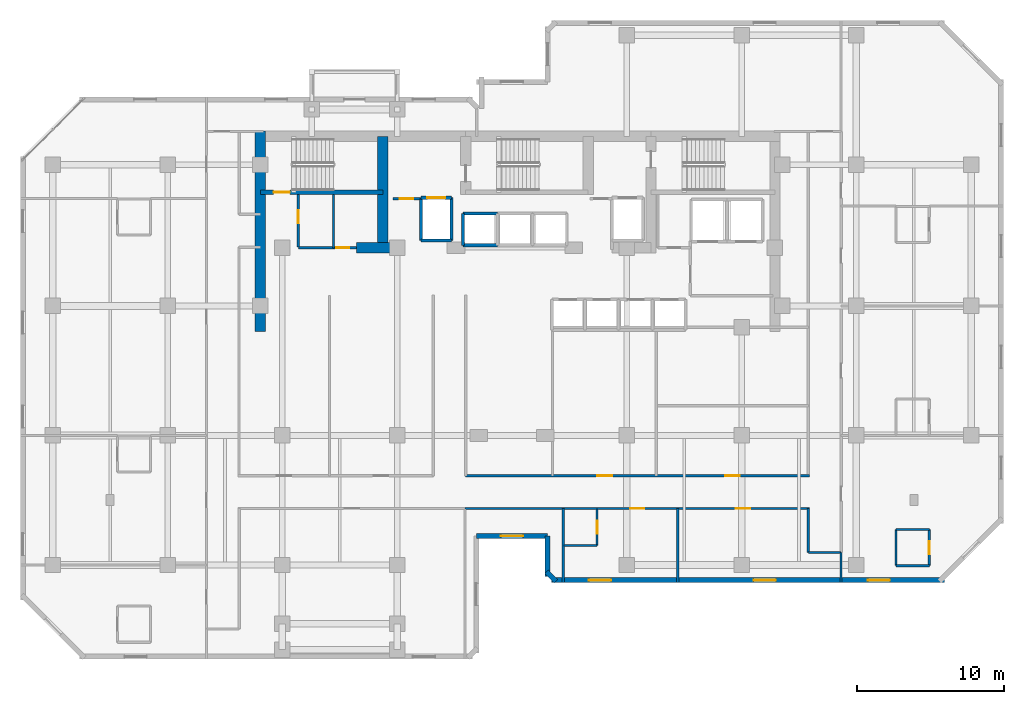
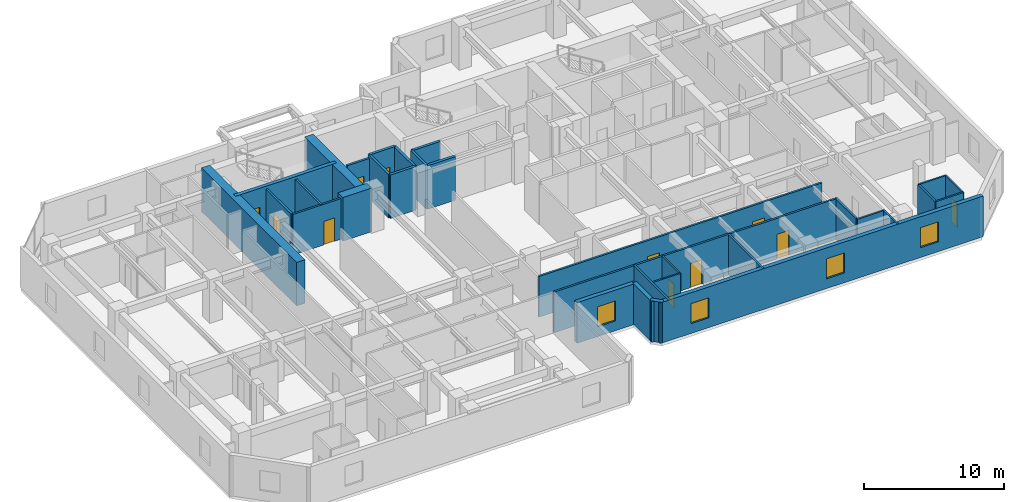
# One storey, part 5 of 9: 32 walls, 11 doors, 4 windows, 15 openings.
"""IFC4 building model written with IfcOpenShell, lengths in metres."""

from ifc_helpers import new_model, si_unit, direction, frame, frame_2d, origin, place, context, subcontext, project, spatial, rectangle, extrude, material, layer, layer_set, type_object, element, fill, save


model = new_model("IFC4")

# Units and contexts
model_context = context("Model", 3, precision=1e-05, world=origin(), true_north=direction((0.0, 1.0)))
body_context = subcontext(model_context, "Body", "Model", "MODEL_VIEW")
ifc_project = project(units=[si_unit("LENGTHUNIT", "METRE"), si_unit("AREAUNIT", "SQUARE_METRE"), si_unit("VOLUMEUNIT", "CUBIC_METRE"), si_unit("PLANEANGLEUNIT", "RADIAN"), si_unit("MASSUNIT", "GRAM", prefix="KILO")], contexts=[model_context])

# Site, building, storey
site_placement = place(None, origin())
site = spatial("IfcSite", under=ifc_project, at=site_placement, CompositionType="ELEMENT")
building_placement = place(site_placement, origin())
building = spatial("IfcBuilding", under=site, at=building_placement, Name="Kestravale Grand Hotel", CompositionType="ELEMENT")
storey_placement = place(building_placement, frame((0.0, 0.0, 176.39990234375)))
storey = spatial("IfcBuildingStorey", under=building, at=storey_placement, Name="L44", CompositionType="ELEMENT", Elevation=176.39990234375)

# Walls
ifc_material_1 = material(Name="Concrete f'c 60 MPa", Category="concrete")
ifc_layer_1 = layer(ifc_material_1, 0.699951171875)
ifc_layer_set_1 = layer_set([ifc_layer_1], Name="EW-CORE-700")
wall_type_1 = type_object("IfcWallType", Name="EW-CORE-700", PredefinedType="SHEAR", material=ifc_layer_set_1)
wall_1_placement = place(storey_placement, frame((21.89990234375, 27.050048828125, 0.0), z_axis=(0.0, 0.0, 1.0), x_axis=(0.0, 1.0, 0.0)))
element("IfcWall", 1, at=wall_1_placement, inside=storey, type_object=wall_type_1, Name="L44 core shear wall W1", PredefinedType="SHEAR", context=body_context, shape_type="SweptSolid", body=[
    extrude(rectangle(XDim=13.619873046875, YDim=0.699951171875, at=frame_2d((6.81005859375, 0.0))), origin(), (0.0, 0.0, 1.0), 3.800048828125),
])
wall_2_placement = place(storey_placement, frame((28.449951171875, 32.75, 0.0), z_axis=(0.0, 0.0, 1.0), x_axis=(1.0, 0.0, 0.0)))
element("IfcWall", 2, at=wall_2_placement, inside=storey, type_object=wall_type_1, Name="L44 core shear wall S1", PredefinedType="SHEAR", context=body_context, shape_type="SweptSolid", body=[
    extrude(rectangle(XDim=2.400146484375, YDim=0.699951171875, at=frame_2d((1.2001953125, 0.0))), origin(), (0.0, 0.0, 1.0), 3.800048828125),
])
wall_3_placement = place(storey_placement, frame((30.219970703125, 33.10009765625, 0.0), z_axis=(0.0, 0.0, 1.0), x_axis=(0.0, 1.0, 0.0)))
element("IfcWall", 3, at=wall_3_placement, inside=storey, type_object=wall_type_1, Name="L44 core shear wall X1", PredefinedType="SHEAR", context=body_context, shape_type="SweptSolid", body=[
    extrude(rectangle(XDim=7.219970703125, YDim=0.699951171875, at=frame_2d((3.60986328125, 0.0))), origin(), (0.0, 0.0, 1.0), 3.800048828125),
])

# Wall, opening, window
ifc_material_2 = material(Name="Precast concrete f'c 45 MPa", Category="concrete")
ifc_layer_2 = layer(ifc_material_2, 0.340087890625)
ifc_layer_set_2 = layer_set([ifc_layer_2], Name="EW-PREC-340")
wall_type_2 = type_object("IfcWallType", Name="EW-PREC-340", PredefinedType="SOLIDWALL", material=ifc_layer_set_2)
wall_4_placement = place(storey_placement, frame((36.580078125, 13.169921875, 0.0), z_axis=(0.0, 0.0, 1.0), x_axis=(1.0, 0.0, 0.0)))
wall_4 = element("IfcWall", 4, at=wall_4_placement, inside=storey, type_object=wall_type_2, Name="L44 fluted precast facade wall 4", PredefinedType="SOLIDWALL", context=body_context, shape_type="SweptSolid", body=[
    extrude(rectangle(XDim=4.83984375, YDim=0.340087890625, at=frame_2d((2.419921875, 0.0))), origin(), (0.0, 0.0, 1.0), 3.550048828125),
])
opening_1_placement = place(wall_4_placement, frame((1.669921875, 0.0, 0.85009765625)))
opening_1 = element("IfcOpeningElement", 5, at=opening_1_placement, cuts=wall_4, Name="Opening W-GUEST-1500", PredefinedType="OPENING", context=body_context, shape_type="SweptSolid", body=[
    extrude(rectangle(XDim=1.5, YDim=1.75, at=frame_2d((0.75, 0.875))), frame((0.0, 0.179931640625, 0.0), z_axis=(0.0, -1.0, 0.0), x_axis=(1.0, 0.0, 0.0)), (0.0, 0.0, 1.0), 0.360107421875),
])
ifc_material_3 = material(Name="Insulated low-E double glazing in aluminium frame", Category="aluminium")
window_type = type_object("IfcWindowType", Name="W-GUEST-1500", PartitioningType="SINGLE_PANEL", PredefinedType="WINDOW", material=ifc_material_3)
window_1_placement = place(opening_1_placement, origin())
window_1 = element("IfcWindow", 6, at=window_1_placement, inside=storey, type_object=window_type, Name="L44 exterior window 4.1", OverallHeight=1.75, OverallWidth=1.5, PartitioningType="SINGLE_PANEL", PredefinedType="WINDOW", context=body_context, shape_type="SweptSolid", body=[
    extrude(rectangle(XDim=1.5, YDim=1.75, at=frame_2d((0.75, 0.875))), frame((0.0, 0.030029296875, 0.0), z_axis=(0.0, -1.0, 0.0), x_axis=(1.0, 0.0, 0.0)), (0.0, 0.0, 1.0), 0.06005859375),
])
fill(opening_1, window_1)

# Walls
wall_5_placement = place(storey_placement, frame((41.419921875, 13.169921875, 0.0), z_axis=(0.0, 0.0, 1.0), x_axis=(0.0, -1.0, 0.0)))
element("IfcWall", 7, at=wall_5_placement, inside=storey, type_object=wall_type_2, Name="L44 fluted precast facade wall 5", PredefinedType="SOLIDWALL", context=body_context, shape_type="SweptSolid", body=[
    extrude(rectangle(XDim=2.739990234375, YDim=0.340087890625, at=frame_2d((1.3701171875, 0.0))), origin(), (0.0, 0.0, 1.0), 3.550048828125),
])
wall_6_placement = place(storey_placement, frame((41.341796875, 10.74853515625, 0.0), z_axis=(0.0, 0.0, 1.0), x_axis=(0.707106781187, -0.707106781187, 0.0)))
element("IfcWall", 8, at=wall_6_placement, inside=storey, type_object=wall_type_2, Name="L44 fluted precast facade wall 6", PredefinedType="SOLIDWALL", context=body_context, shape_type="SweptSolid", body=[
    extrude(rectangle(XDim=0.9287109375, YDim=0.340087890625, at=frame_2d((0.46435546875, 0.0))), origin(), (0.0, 0.0, 1.0), 3.550048828125),
])

# Wall, openings, windows
wall_7_placement = place(storey_placement, frame((41.679931640625, 10.169921875, 0.0), z_axis=(0.0, 0.0, 1.0), x_axis=(1.0, 0.0, 0.0)))
wall_7 = element("IfcWall", 9, at=wall_7_placement, inside=storey, type_object=wall_type_2, Name="L44 fluted precast facade wall 7", PredefinedType="SOLIDWALL", context=body_context, shape_type="SweptSolid", body=[
    extrude(rectangle(XDim=26.690185546875, YDim=0.340087890625, at=frame_2d((13.34521484375, 0.0))), origin(), (0.0, 0.0, 1.0), 3.550048828125),
])
opening_2_placement = place(wall_7_placement, frame((2.54833984375, 0.0, 0.85009765625)))
opening_2 = element("IfcOpeningElement", 10, at=opening_2_placement, cuts=wall_7, Name="Opening W-GUEST-1500", PredefinedType="OPENING", context=body_context, shape_type="SweptSolid", body=[
    extrude(rectangle(XDim=1.5, YDim=1.75, at=frame_2d((0.75, 0.875))), frame((0.0, 0.179931640625, 0.0), z_axis=(0.0, -1.0, 0.0), x_axis=(1.0, 0.0, 0.0)), (0.0, 0.0, 1.0), 0.360107421875),
])
opening_3_placement = place(wall_7_placement, frame((13.7451171875, 0.0, 0.85009765625)))
opening_3 = element("IfcOpeningElement", 11, at=opening_3_placement, cuts=wall_7, Name="Opening W-GUEST-1500", PredefinedType="OPENING", context=body_context, shape_type="SweptSolid", body=[
    extrude(rectangle(XDim=1.5, YDim=1.75, at=frame_2d((0.75, 0.875))), frame((0.0, 0.179931640625, 0.0), z_axis=(0.0, -1.0, 0.0), x_axis=(1.0, 0.0, 0.0)), (0.0, 0.0, 1.0), 0.360107421875),
])
opening_4_placement = place(wall_7_placement, frame((21.49169921875, 0.0, 0.85009765625)))
opening_4 = element("IfcOpeningElement", 12, at=opening_4_placement, cuts=wall_7, Name="Opening W-GUEST-1500", PredefinedType="OPENING", context=body_context, shape_type="SweptSolid", body=[
    extrude(rectangle(XDim=1.5, YDim=1.75, at=frame_2d((0.75, 0.875))), frame((0.0, 0.179931640625, 0.0), z_axis=(0.0, -1.0, 0.0), x_axis=(1.0, 0.0, 0.0)), (0.0, 0.0, 1.0), 0.360107421875),
])
window_2_placement = place(opening_2_placement, origin())
window_2 = element("IfcWindow", 13, at=window_2_placement, inside=storey, type_object=window_type, Name="L44 exterior window 7.1", OverallHeight=1.75, OverallWidth=1.5, PartitioningType="SINGLE_PANEL", PredefinedType="WINDOW", context=body_context, shape_type="SweptSolid", body=[
    extrude(rectangle(XDim=1.5, YDim=1.75, at=frame_2d((0.75, 0.875))), frame((0.0, 0.030029296875, 0.0), z_axis=(0.0, -1.0, 0.0), x_axis=(1.0, 0.0, 0.0)), (0.0, 0.0, 1.0), 0.06005859375),
])
fill(opening_2, window_2)
window_3_placement = place(opening_3_placement, origin())
window_3 = element("IfcWindow", 14, at=window_3_placement, inside=storey, type_object=window_type, Name="L44 exterior window 7.2", OverallHeight=1.75, OverallWidth=1.5, PartitioningType="SINGLE_PANEL", PredefinedType="WINDOW", context=body_context, shape_type="SweptSolid", body=[
    extrude(rectangle(XDim=1.5, YDim=1.75, at=frame_2d((0.75, 0.875))), frame((0.0, 0.030029296875, 0.0), z_axis=(0.0, -1.0, 0.0), x_axis=(1.0, 0.0, 0.0)), (0.0, 0.0, 1.0), 0.06005859375),
])
fill(opening_3, window_3)
window_4_placement = place(opening_4_placement, origin())
window_4 = element("IfcWindow", 15, at=window_4_placement, inside=storey, type_object=window_type, Name="L44 exterior window 7.3", OverallHeight=1.75, OverallWidth=1.5, PartitioningType="SINGLE_PANEL", PredefinedType="WINDOW", context=body_context, shape_type="SweptSolid", body=[
    extrude(rectangle(XDim=1.5, YDim=1.75, at=frame_2d((0.75, 0.875))), frame((0.0, 0.030029296875, 0.0), z_axis=(0.0, -1.0, 0.0), x_axis=(1.0, 0.0, 0.0)), (0.0, 0.0, 1.0), 0.06005859375),
])
fill(opening_4, window_4)

# Wall, opening, door
ifc_material_4 = material(Name="Concrete f'c 45 MPa", Category="concrete")
ifc_layer_3 = layer(ifc_material_4, 0.300048828125)
ifc_layer_set_3 = layer_set([ifc_layer_3], Name="EW-STAIR-300")
wall_type_3 = type_object("IfcWallType", Name="EW-STAIR-300", PredefinedType="SHEAR", material=ifc_layer_set_3)
wall_8_placement = place(storey_placement, frame((21.89990234375, 36.52001953125, 0.0), z_axis=(0.0, 0.0, 1.0), x_axis=(1.0, 0.0, 0.0)))
wall_8 = element("IfcWall", 16, at=wall_8_placement, inside=storey, type_object=wall_type_3, Name="L44 stair enclosure shear wall SST1", PredefinedType="SHEAR", context=body_context, shape_type="SweptSolid", body=[
    extrude(rectangle(XDim=8.320068359375, YDim=0.300048828125, at=frame_2d((4.16015625, 0.0))), origin(), (0.0, 0.0, 1.0), 3.800048828125),
])
opening_5_placement = place(wall_8_placement, frame((0.89990234375, 0.0, 0.0)))
opening_5 = element("IfcOpeningElement", 17, at=opening_5_placement, cuts=wall_8, Name="Opening D-ST-1100", PredefinedType="OPENING", context=body_context, shape_type="SweptSolid", body=[
    extrude(rectangle(XDim=1.10009765625, YDim=2.14990234375, at=frame_2d((0.550048828125, 1.074951171875))), frame((0.0, 0.159912109375, 0.0), z_axis=(0.0, -1.0, 0.0), x_axis=(1.0, 0.0, 0.0)), (0.0, 0.0, 1.0), 0.320068359375),
])
ifc_material_5 = material(Name="Galvanised 90-minute fire-rated steel stair door", Category="steel")
door_type_1 = type_object("IfcDoorType", Name="D-ST-1100", OperationType="NOTDEFINED", PredefinedType="DOOR", material=ifc_material_5)
door_1_placement = place(opening_5_placement, origin())
door_1 = element("IfcDoor", 18, at=door_1_placement, inside=storey, type_object=door_type_1, Name="L44 Stair ST-1 fire door", OperationType="SINGLE_SWING_RIGHT", OverallHeight=2.14990234375, OverallWidth=1.10009765625, PredefinedType="DOOR", context=body_context, shape_type="SweptSolid", body=[
    extrude(rectangle(XDim=1.10009765625, YDim=2.14990234375, at=frame_2d((0.550048828125, 1.074951171875))), frame((0.0, 0.02490234375, 0.0), z_axis=(0.0, -1.0, 0.0), x_axis=(1.0, 0.0, 0.0)), (0.0, 0.0, 1.0), 0.050048828125),
])
fill(opening_5, door_1)

ifc_material_6 = material(Name="Acoustic fire-rated gypsum board partition", Category="other")
ifc_layer_4 = layer(ifc_material_6, 0.159912109375)
ifc_layer_set_4 = layer_set([ifc_layer_4], Name="IW-CORR-160")
wall_type_4 = type_object("IfcWallType", Name="IW-CORR-160", PredefinedType="PARTITIONING", material=ifc_layer_set_4)
wall_9_placement = place(storey_placement, frame((24.47998046875, 32.800048828125, 0.0), z_axis=(0.0, 0.0, 1.0), x_axis=(0.0, 1.0, 0.0)))
wall_9 = element("IfcWall", 19, at=wall_9_placement, inside=storey, type_object=wall_type_4, Name="L44 west core vestibule wall", PredefinedType="PARTITIONING", context=body_context, shape_type="SweptSolid", body=[
    extrude(rectangle(XDim=3.570068359375, YDim=0.159912109375, at=frame_2d((1.78515625, 0.0))), origin(), (0.0, 0.0, 1.0), 3.550048828125),
])
opening_6_placement = place(wall_9_placement, frame((1.603515625, 0.0, 0.0)))
opening_6 = element("IfcOpeningElement", 20, at=opening_6_placement, cuts=wall_9, Name="Opening D-SH-900", PredefinedType="OPENING", context=body_context, shape_type="SweptSolid", body=[
    extrude(rectangle(XDim=0.89990234375, YDim=2.10009765625, at=frame_2d((0.449951171875, 1.050048828125))), frame((0.0, 0.08984375, 0.0), z_axis=(0.0, -1.0, 0.0), x_axis=(1.0, 0.0, 0.0)), (0.0, 0.0, 1.0), 0.179931640625),
])
ifc_material_7 = material(Name="Galvanised 90-minute shaft and service fire door", Category="steel")
door_type_2 = type_object("IfcDoorType", Name="D-SH-900", OperationType="NOTDEFINED", PredefinedType="DOOR", material=ifc_material_7)
door_2_placement = place(opening_6_placement, origin())
door_2 = element("IfcDoor", 21, at=door_2_placement, inside=storey, type_object=door_type_2, Name="D-L44-HK", OperationType="SINGLE_SWING_RIGHT", OverallHeight=2.10009765625, OverallWidth=0.89990234375, PredefinedType="DOOR", context=body_context, shape_type="SweptSolid", body=[
    extrude(rectangle(XDim=0.89990234375, YDim=2.10009765625, at=frame_2d((0.449951171875, 1.050048828125))), frame((0.0, 0.02490234375, 0.0), z_axis=(0.0, -1.0, 0.0), x_axis=(1.0, 0.0, 0.0)), (0.0, 0.0, 1.0), 0.050048828125),
])
fill(opening_6, door_2)

wall_10_placement = place(storey_placement, frame((24.47998046875, 32.75, 0.0), z_axis=(0.0, 0.0, 1.0), x_axis=(1.0, 0.0, 0.0)))
wall_10 = element("IfcWall", 22, at=wall_10_placement, inside=storey, type_object=wall_type_4, Name="W-L44-CWS", PredefinedType="PARTITIONING", context=body_context, shape_type="SweptSolid", body=[
    extrude(rectangle(XDim=3.969970703125, YDim=0.159912109375, at=frame_2d((1.98486328125, 0.0))), origin(), (0.0, 0.0, 1.0), 3.550048828125),
])
opening_7_placement = place(wall_10_placement, frame((2.574951171875, 0.0, 0.0)))
opening_7 = element("IfcOpeningElement", 23, at=opening_7_placement, cuts=wall_10, Name="Opening D-BATH-880", PredefinedType="OPENING", context=body_context, shape_type="SweptSolid", body=[
    extrude(rectangle(XDim=0.8798828125, YDim=2.050048828125, at=frame_2d((0.43994140625, 1.02490234375))), frame((0.0, 0.08984375, 0.0), z_axis=(0.0, -1.0, 0.0), x_axis=(1.0, 0.0, 0.0)), (0.0, 0.0, 1.0), 0.179931640625),
])
ifc_material_8 = material(Name="Moisture-sealed walnut en-suite bathroom door", Category="wood")
door_type_3 = type_object("IfcDoorType", Name="D-BATH-880", OperationType="NOTDEFINED", PredefinedType="DOOR", material=ifc_material_8)
door_3_placement = place(opening_7_placement, origin())
door_3 = element("IfcDoor", 24, at=door_3_placement, inside=storey, type_object=door_type_3, Name="D-L44-SWC", OperationType="SINGLE_SWING_RIGHT", OverallHeight=2.050048828125, OverallWidth=0.8798828125, PredefinedType="DOOR", context=body_context, shape_type="SweptSolid", body=[
    extrude(rectangle(XDim=0.8798828125, YDim=2.050048828125, at=frame_2d((0.43994140625, 1.02490234375))), frame((0.0, 0.02490234375, 0.0), z_axis=(0.0, -1.0, 0.0), x_axis=(1.0, 0.0, 0.0)), (0.0, 0.0, 1.0), 0.050048828125),
])
fill(opening_7, door_3)

# Wall, openings, doors
wall_11_placement = place(storey_placement, frame((35.85009765625, 17.260009765625, 0.0), z_axis=(0.0, 0.0, 1.0), x_axis=(1.0, 0.0, 0.0)))
wall_11 = element("IfcWall", 25, at=wall_11_placement, inside=storey, type_object=wall_type_4, Name="W-L44-CE-N", PredefinedType="PARTITIONING", context=body_context, shape_type="SweptSolid", body=[
    extrude(rectangle(XDim=23.349853515625, YDim=0.159912109375, at=frame_2d((11.6748046875, 0.0))), origin(), (0.0, 0.0, 1.0), 3.550048828125),
])
opening_8_placement = place(wall_11_placement, frame((8.949951171875, 0.0, 0.0)))
opening_8 = element("IfcOpeningElement", 26, at=opening_8_placement, cuts=wall_11, Name="Opening D-GUEST-1000", PredefinedType="OPENING", context=body_context, shape_type="SweptSolid", body=[
    extrude(rectangle(XDim=1.0, YDim=2.14990234375, at=frame_2d((0.5, 1.074951171875))), frame((0.0, 0.08984375, 0.0), z_axis=(0.0, -1.0, 0.0), x_axis=(1.0, 0.0, 0.0)), (0.0, 0.0, 1.0), 0.179931640625),
])
opening_9_placement = place(wall_11_placement, frame((17.625, 0.0, 0.0)))
opening_9 = element("IfcOpeningElement", 27, at=opening_9_placement, cuts=wall_11, Name="Opening D-GUEST-1000", PredefinedType="OPENING", context=body_context, shape_type="SweptSolid", body=[
    extrude(rectangle(XDim=1.0, YDim=2.14990234375, at=frame_2d((0.5, 1.074951171875))), frame((0.0, 0.08984375, 0.0), z_axis=(0.0, -1.0, 0.0), x_axis=(1.0, 0.0, 0.0)), (0.0, 0.0, 1.0), 0.179931640625),
])
ifc_material_9 = material(Name="Accessible walnut veneer hotel entrance fire door", Category="wood")
door_type_4 = type_object("IfcDoorType", Name="D-GUEST-1000", OperationType="NOTDEFINED", PredefinedType="DOOR", material=ifc_material_9)
door_4_placement = place(opening_8_placement, origin())
door_4 = element("IfcDoor", 28, at=door_4_placement, inside=storey, type_object=door_type_4, Name="D-L44-RECL-E1", OperationType="SINGLE_SWING_LEFT", OverallHeight=2.14990234375, OverallWidth=1.0, PredefinedType="DOOR", context=body_context, shape_type="SweptSolid", body=[
    extrude(rectangle(XDim=1.0, YDim=2.14990234375, at=frame_2d((0.5, 1.074951171875))), frame((0.0, 0.02490234375, 0.0), z_axis=(0.0, -1.0, 0.0), x_axis=(1.0, 0.0, 0.0)), (0.0, 0.0, 1.0), 0.050048828125),
])
fill(opening_8, door_4)
door_5_placement = place(opening_9_placement, origin())
door_5 = element("IfcDoor", 29, at=door_5_placement, inside=storey, type_object=door_type_4, Name="D-L44-RECL-E2", OperationType="SINGLE_SWING_RIGHT", OverallHeight=2.14990234375, OverallWidth=1.0, PredefinedType="DOOR", context=body_context, shape_type="SweptSolid", body=[
    extrude(rectangle(XDim=1.0, YDim=2.14990234375, at=frame_2d((0.5, 1.074951171875))), frame((0.0, 0.02490234375, 0.0), z_axis=(0.0, -1.0, 0.0), x_axis=(1.0, 0.0, 0.0)), (0.0, 0.0, 1.0), 0.050048828125),
])
fill(opening_9, door_5)

wall_12_placement = place(storey_placement, frame((35.800048828125, 15.0400390625, 0.0), z_axis=(0.0, 0.0, 1.0), x_axis=(1.0, 0.0, 0.0)))
wall_12 = element("IfcWall", 30, at=wall_12_placement, inside=storey, type_object=wall_type_4, Name="W-L44-CE-S", PredefinedType="PARTITIONING", context=body_context, shape_type="SweptSolid", body=[
    extrude(rectangle(XDim=23.39990234375, YDim=0.159912109375, at=frame_2d((11.699951171875, 0.0))), origin(), (0.0, 0.0, 1.0), 3.550048828125),
])
opening_10_placement = place(wall_12_placement, frame((11.25, 0.0, 0.0)))
opening_10 = element("IfcOpeningElement", 31, at=opening_10_placement, cuts=wall_12, Name="Opening D-GUEST-950", PredefinedType="OPENING", context=body_context, shape_type="SweptSolid", body=[
    extrude(rectangle(XDim=0.949951171875, YDim=2.10009765625, at=frame_2d((0.47509765625, 1.050048828125))), frame((0.0, 0.08984375, 0.0), z_axis=(0.0, -1.0, 0.0), x_axis=(1.0, 0.0, 0.0)), (0.0, 0.0, 1.0), 0.179931640625),
])
opening_11_placement = place(wall_12_placement, frame((18.39990234375, 0.0, 0.0)))
opening_11 = element("IfcOpeningElement", 32, at=opening_11_placement, cuts=wall_12, Name="Opening D-GUEST-1000", PredefinedType="OPENING", context=body_context, shape_type="SweptSolid", body=[
    extrude(rectangle(XDim=1.0, YDim=2.14990234375, at=frame_2d((0.5, 1.074951171875))), frame((0.0, 0.08984375, 0.0), z_axis=(0.0, -1.0, 0.0), x_axis=(1.0, 0.0, 0.0)), (0.0, 0.0, 1.0), 0.179931640625),
])
door_6_placement = place(opening_11_placement, origin())
door_6 = element("IfcDoor", 33, at=door_6_placement, inside=storey, type_object=door_type_4, Name="D-L44-AME", OperationType="SINGLE_SWING_RIGHT", OverallHeight=2.14990234375, OverallWidth=1.0, PredefinedType="DOOR", context=body_context, shape_type="SweptSolid", body=[
    extrude(rectangle(XDim=1.0, YDim=2.14990234375, at=frame_2d((0.5, 1.074951171875))), frame((0.0, 0.02490234375, 0.0), z_axis=(0.0, -1.0, 0.0), x_axis=(1.0, 0.0, 0.0)), (0.0, 0.0, 1.0), 0.050048828125),
])
fill(opening_11, door_6)
ifc_material_10 = material(Name="Walnut veneer hotel guestroom entrance fire door", Category="wood")
door_type_5 = type_object("IfcDoorType", Name="D-GUEST-950", OperationType="NOTDEFINED", PredefinedType="DOOR", material=ifc_material_10)
door_7_placement = place(opening_10_placement, origin())
door_7 = element("IfcDoor", 34, at=door_7_placement, inside=storey, type_object=door_type_5, Name="D-L44-U01-ENT", OperationType="SINGLE_SWING_LEFT", OverallHeight=2.10009765625, OverallWidth=0.949951171875, PredefinedType="DOOR", context=body_context, shape_type="SweptSolid", body=[
    extrude(rectangle(XDim=0.949951171875, YDim=2.10009765625, at=frame_2d((0.47509765625, 1.050048828125))), frame((0.0, 0.02490234375, 0.0), z_axis=(0.0, -1.0, 0.0), x_axis=(1.0, 0.0, 0.0)), (0.0, 0.0, 1.0), 0.050048828125),
])
fill(opening_10, door_7)

# Wall
wall_13_placement = place(storey_placement, frame((59.139892578125, 12.050048828125, 0.0), z_axis=(0.0, 0.0, 1.0), x_axis=(0.0, 1.0, 0.0)))
element("IfcWall", 35, at=wall_13_placement, inside=storey, type_object=wall_type_4, Name="W-L44-SE-W", PredefinedType="PARTITIONING", context=body_context, shape_type="SweptSolid", body=[
    extrude(rectangle(XDim=2.989990234375, YDim=0.159912109375, at=frame_2d((1.4951171875, 0.0))), origin(), (0.0, 0.0, 1.0), 3.550048828125),
])

# Wall, opening, door
ifc_material_11 = material(Name="Fire-rated gypsum board on steel studs with mineral wool", Category="steel")
ifc_layer_5 = layer(ifc_material_11, 0.179931640625)
ifc_layer_set_5 = layer_set([ifc_layer_5], Name="IW-FSAE-180")
wall_type_5 = type_object("IfcWallType", Name="IW-FSAE-180", PredefinedType="PARTITIONING", material=ifc_layer_set_5)
wall_14_placement = place(storey_placement, frame((30.89990234375, 36.080078125, 0.0), z_axis=(0.0, 0.0, 1.0), x_axis=(1.0, 0.0, 0.0)))
wall_14 = element("IfcWall", 36, at=wall_14_placement, inside=storey, type_object=wall_type_5, Name="L44 FSAE Lobby 1 smoke barrier", PredefinedType="PARTITIONING", context=body_context, shape_type="SweptSolid", body=[
    extrude(rectangle(XDim=1.85009765625, YDim=0.179931640625, at=frame_2d((0.925048828125, 0.0))), origin(), (0.0, 0.0, 1.0), 3.550048828125),
])
opening_12_placement = place(wall_14_placement, frame((0.47998046875, 0.0, 0.0)))
opening_12 = element("IfcOpeningElement", 37, at=opening_12_placement, cuts=wall_14, Name="Opening D-FSAE-1000", PredefinedType="OPENING", context=body_context, shape_type="SweptSolid", body=[
    extrude(rectangle(XDim=0.89990234375, YDim=2.14990234375, at=frame_2d((0.449951171875, 1.074951171875))), frame((0.0, 0.099853515625, 0.0), z_axis=(0.0, -1.0, 0.0), x_axis=(1.0, 0.0, 0.0)), (0.0, 0.0, 1.0), 0.199951171875),
])
ifc_material_12 = material(Name="Smoke-gasketed FSAE lobby fire door", Category="steel")
door_type_6 = type_object("IfcDoorType", Name="D-FSAE-1000", OperationType="NOTDEFINED", PredefinedType="DOOR", material=ifc_material_12)
door_8_placement = place(opening_12_placement, origin())
door_8 = element("IfcDoor", 38, at=door_8_placement, inside=storey, type_object=door_type_6, Name="L44 FSAE Lobby 1 fire door", OperationType="SINGLE_SWING_RIGHT", OverallHeight=2.14990234375, OverallWidth=0.89990234375, PredefinedType="DOOR", context=body_context, shape_type="SweptSolid", body=[
    extrude(rectangle(XDim=0.89990234375, YDim=2.14990234375, at=frame_2d((0.449951171875, 1.074951171875))), frame((0.0, 0.02490234375, 0.0), z_axis=(0.0, -1.0, 0.0), x_axis=(1.0, 0.0, 0.0)), (0.0, 0.0, 1.0), 0.050048828125),
])
fill(opening_12, door_8)

ifc_material_13 = material(Name="Moisture-resistant tile-backer plumbing chase wall", Category="other")
ifc_layer_6 = layer(ifc_material_13, 0.139892578125)
ifc_layer_set_6 = layer_set([ifc_layer_6], Name="IW-PLB-140")
wall_type_6 = type_object("IfcWallType", Name="IW-PLB-140", PredefinedType="PLUMBINGWALL", material=ifc_layer_set_6)
wall_15_placement = place(storey_placement, frame((44.7900390625, 12.530029296875, 0.0), z_axis=(0.0, 0.0, 1.0), x_axis=(0.0, 1.0, 0.0)))
wall_15 = element("IfcWall", 39, at=wall_15_placement, inside=storey, type_object=wall_type_6, Name="W-L44-U01-BE", PredefinedType="PLUMBINGWALL", context=body_context, shape_type="SweptSolid", body=[
    extrude(rectangle(XDim=2.489990234375, YDim=0.139892578125, at=frame_2d((1.2451171875, 0.0))), origin(), (0.0, 0.0, 1.0), 3.550048828125),
])
opening_13_placement = place(wall_15_placement, frame((0.804931640625, 0.0, 0.0)))
opening_13 = element("IfcOpeningElement", 40, at=opening_13_placement, cuts=wall_15, Name="Opening D-BATH-880", PredefinedType="OPENING", context=body_context, shape_type="SweptSolid", body=[
    extrude(rectangle(XDim=0.8798828125, YDim=2.050048828125, at=frame_2d((0.43994140625, 1.02490234375))), frame((0.0, 0.079833984375, 0.0), z_axis=(0.0, -1.0, 0.0), x_axis=(1.0, 0.0, 0.0)), (0.0, 0.0, 1.0), 0.159912109375),
])
door_9_placement = place(opening_13_placement, origin())
door_9 = element("IfcDoor", 41, at=door_9_placement, inside=storey, type_object=door_type_3, Name="D-L44-U01-BATH", OperationType="SINGLE_SWING_RIGHT", OverallHeight=2.050048828125, OverallWidth=0.8798828125, PredefinedType="DOOR", context=body_context, shape_type="SweptSolid", body=[
    extrude(rectangle(XDim=0.8798828125, YDim=2.050048828125, at=frame_2d((0.43994140625, 1.02490234375))), frame((0.0, 0.02490234375, 0.0), z_axis=(0.0, -1.0, 0.0), x_axis=(1.0, 0.0, 0.0)), (0.0, 0.0, 1.0), 0.050048828125),
])
fill(opening_13, door_9)

# Walls
wall_16_placement = place(storey_placement, frame((42.5400390625, 12.530029296875, 0.0), z_axis=(0.0, 0.0, 1.0), x_axis=(1.0, 0.0, 0.0)))
element("IfcWall", 42, at=wall_16_placement, inside=storey, type_object=wall_type_6, Name="W-L44-U01-BS", PredefinedType="PLUMBINGWALL", context=body_context, shape_type="SweptSolid", body=[
    extrude(rectangle(XDim=2.25, YDim=0.139892578125, at=frame_2d((1.125, 0.0))), origin(), (0.0, 0.0, 1.0), 3.550048828125),
])
wall_17_placement = place(storey_placement, frame((65.10009765625, 11.14990234375, 0.0), z_axis=(0.0, 0.0, 1.0), x_axis=(0.0, 1.0, 0.0)))
element("IfcWall", 43, at=wall_17_placement, inside=storey, type_object=wall_type_6, Name="W-L44-U05-BW", PredefinedType="PLUMBINGWALL", context=body_context, shape_type="SweptSolid", body=[
    extrude(rectangle(XDim=2.4501953125, YDim=0.139892578125, at=frame_2d((1.22509765625, 0.0))), origin(), (0.0, 0.0, 1.0), 3.550048828125),
])

# Wall, opening, door
wall_18_placement = place(storey_placement, frame((67.35009765625, 11.14990234375, 0.0), z_axis=(0.0, 0.0, 1.0), x_axis=(0.0, 1.0, 0.0)))
wall_18 = element("IfcWall", 44, at=wall_18_placement, inside=storey, type_object=wall_type_6, Name="W-L44-U05-BE", PredefinedType="PLUMBINGWALL", context=body_context, shape_type="SweptSolid", body=[
    extrude(rectangle(XDim=2.4501953125, YDim=0.139892578125, at=frame_2d((1.22509765625, 0.0))), origin(), (0.0, 0.0, 1.0), 3.550048828125),
])
opening_14_placement = place(wall_18_placement, frame((0.784912109375, 0.0, 0.0)))
opening_14 = element("IfcOpeningElement", 45, at=opening_14_placement, cuts=wall_18, Name="Opening D-BATH-880", PredefinedType="OPENING", context=body_context, shape_type="SweptSolid", body=[
    extrude(rectangle(XDim=0.8798828125, YDim=2.050048828125, at=frame_2d((0.43994140625, 1.02490234375))), frame((0.0, 0.079833984375, 0.0), z_axis=(0.0, -1.0, 0.0), x_axis=(1.0, 0.0, 0.0)), (0.0, 0.0, 1.0), 0.159912109375),
])
door_10_placement = place(opening_14_placement, origin())
door_10 = element("IfcDoor", 46, at=door_10_placement, inside=storey, type_object=door_type_3, Name="D-L44-U05-BATH", OperationType="SINGLE_SWING_RIGHT", OverallHeight=2.050048828125, OverallWidth=0.8798828125, PredefinedType="DOOR", context=body_context, shape_type="SweptSolid", body=[
    extrude(rectangle(XDim=0.8798828125, YDim=2.050048828125, at=frame_2d((0.43994140625, 1.02490234375))), frame((0.0, 0.02490234375, 0.0), z_axis=(0.0, -1.0, 0.0), x_axis=(1.0, 0.0, 0.0)), (0.0, 0.0, 1.0), 0.050048828125),
])
fill(opening_14, door_10)

# Walls
for number, where, z_axis, x_axis, name in (
    (47, (65.10009765625, 11.14990234375, 0.0), (0.0, 0.0, 1.0), (1.0, 0.0, 0.0), "W-L44-U05-BS"),
    (48, (65.10009765625, 13.60009765625, 0.0), (0.0, 0.0, 1.0), (1.0, 0.0, 0.0), "W-L44-U05-BN"),
):
    element("IfcWall", number, at=place(storey_placement, frame(where, z_axis=z_axis, x_axis=x_axis)), inside=storey, type_object=wall_type_6, Name=name, PredefinedType="PLUMBINGWALL", context=body_context, shape_type="SweptSolid", body=[
        extrude(rectangle(XDim=2.25, YDim=0.139892578125, at=frame_2d((1.125, 0.0))), origin(), (0.0, 0.0, 1.0), 3.550048828125),
    ])
ifc_material_14 = material(Name="Concrete f'c 45 MPa", Category="concrete")
ifc_layer_7 = layer(ifc_material_14, 0.199951171875)
ifc_layer_set_7 = layer_set([ifc_layer_7], Name="IW-SHAFT-200")
wall_type_7 = type_object("IfcWallType", Name="IW-SHAFT-200", PredefinedType="SHEAR", material=ifc_layer_set_7)
wall_19_placement = place(storey_placement, frame((35.679931640625, 32.919921875, 0.0), z_axis=(0.0, 0.0, 1.0), x_axis=(0.0, 1.0, 0.0)))
element("IfcWall", 49, at=wall_19_placement, inside=storey, type_object=wall_type_7, Name="L44 PL-X1 west shaft wall", PredefinedType="SHEAR", context=body_context, shape_type="SweptSolid", body=[
    extrude(rectangle(XDim=2.16015625, YDim=0.199951171875, at=frame_2d((1.080078125, 0.0))), origin(), (0.0, 0.0, 1.0), 3.800048828125),
])
for number, where, z_axis, x_axis, name in (
    (50, (32.804931640625, 33.2451171875, 0.0), (0.0, 0.0, 1.0), (0.0, 1.0, 0.0), "L44 FL-1 west shaft wall"),
    (51, (34.89501953125, 33.2451171875, 0.0), (0.0, 0.0, 1.0), (0.0, 1.0, 0.0), "L44 FL-1 east shaft wall"),
):
    element("IfcWall", number, at=place(storey_placement, frame(where, z_axis=z_axis, x_axis=x_axis)), inside=storey, type_object=wall_type_7, Name=name, PredefinedType="SHEAR", context=body_context, shape_type="SweptSolid", body=[
        extrude(rectangle(XDim=2.909912109375, YDim=0.199951171875, at=frame_2d((1.455078125, 0.0))), origin(), (0.0, 0.0, 1.0), 3.800048828125),
    ])
ifc_material_15 = material(Name="Concrete f'c 45 MPa", Category="concrete")
ifc_layer_8 = layer(ifc_material_15, 0.219970703125)
ifc_layer_set_8 = layer_set([ifc_layer_8], Name="IW-SHAFT-220")
wall_type_8 = type_object("IfcWallType", Name="IW-SHAFT-220", PredefinedType="SHEAR", material=ifc_layer_set_8)
for number, where, z_axis, x_axis, name in (
    (52, (35.679931640625, 35.080078125, 0.0), (0.0, 0.0, 1.0), (1.0, 0.0, 0.0), "L44 PL-X1 north shaft wall"),
    (53, (35.679931640625, 32.919921875, 0.0), (0.0, 0.0, 1.0), (1.0, 0.0, 0.0), "L44 PL-X1 south shaft wall"),
):
    element("IfcWall", number, at=place(storey_placement, frame(where, z_axis=z_axis, x_axis=x_axis)), inside=storey, type_object=wall_type_8, Name=name, PredefinedType="SHEAR", context=body_context, shape_type="SweptSolid", body=[
        extrude(rectangle(XDim=2.320068359375, YDim=0.219970703125, at=frame_2d((1.16015625, 0.0))), origin(), (0.0, 0.0, 1.0), 3.800048828125),
    ])

# Wall, opening, door
wall_20_placement = place(storey_placement, frame((32.804931640625, 36.155029296875, 0.0), z_axis=(0.0, 0.0, 1.0), x_axis=(1.0, 0.0, 0.0)))
wall_20 = element("IfcWall", 54, at=wall_20_placement, inside=storey, type_object=wall_type_8, Name="L44 FL-1 north shaft wall", PredefinedType="SHEAR", context=body_context, shape_type="SweptSolid", body=[
    extrude(rectangle(XDim=2.090087890625, YDim=0.219970703125, at=frame_2d((1.044921875, 0.0))), origin(), (0.0, 0.0, 1.0), 3.800048828125),
])
opening_15_placement = place(wall_20_placement, frame((0.445068359375, 0.0, 0.0)))
opening_15 = element("IfcOpeningElement", 55, at=opening_15_placement, cuts=wall_20, Name="Opening LD-FSAE-1200", PredefinedType="OPENING", context=body_context, shape_type="SweptSolid", body=[
    extrude(rectangle(XDim=1.199951171875, YDim=2.14990234375, at=frame_2d((0.60009765625, 1.074951171875))), frame((0.0, 0.119873046875, 0.0), z_axis=(0.0, -1.0, 0.0), x_axis=(1.0, 0.0, 0.0)), (0.0, 0.0, 1.0), 0.239990234375),
])
ifc_material_16 = material(Name="Stainless fire-service sliding elevator landing door", Category="steel")
door_type_7 = type_object("IfcDoorType", Name="LD-FSAE-1200", OperationType="NOTDEFINED", PredefinedType="DOOR", material=ifc_material_16)
door_11_placement = place(opening_15_placement, origin())
door_11 = element("IfcDoor", 56, at=door_11_placement, inside=storey, type_object=door_type_7, Name="L44 FL-1 elevator landing sliding door", OperationType="DOUBLE_DOOR_SLIDING", OverallHeight=2.14990234375, OverallWidth=1.199951171875, PredefinedType="DOOR", context=body_context, shape_type="SweptSolid", body=[
    extrude(rectangle(XDim=1.199951171875, YDim=2.14990234375, at=frame_2d((0.60009765625, 1.074951171875))), frame((0.0, 0.02490234375, 0.0), z_axis=(0.0, -1.0, 0.0), x_axis=(1.0, 0.0, 0.0)), (0.0, 0.0, 1.0), 0.050048828125),
])
fill(opening_15, door_11)

# Walls
wall_21_placement = place(storey_placement, frame((32.804931640625, 33.2451171875, 0.0), z_axis=(0.0, 0.0, 1.0), x_axis=(1.0, 0.0, 0.0)))
element("IfcWall", 57, at=wall_21_placement, inside=storey, type_object=wall_type_8, Name="L44 FL-1 south shaft wall", PredefinedType="SHEAR", context=body_context, shape_type="SweptSolid", body=[
    extrude(rectangle(XDim=2.090087890625, YDim=0.219970703125, at=frame_2d((1.044921875, 0.0))), origin(), (0.0, 0.0, 1.0), 3.800048828125),
])
ifc_material_17 = material(Name="Double-stud STC 52 acoustic demising partition", Category="other")
ifc_layer_9 = layer(ifc_material_17, 0.14990234375)
ifc_layer_set_9 = layer_set([ifc_layer_9], Name="IW-UNIT-150")
wall_type_9 = type_object("IfcWallType", Name="IW-UNIT-150", PredefinedType="PARTITIONING", material=ifc_layer_set_9)
wall_22_placement = place(storey_placement, frame((26.8798828125, 32.75, 0.0), z_axis=(0.0, 0.0, 1.0), x_axis=(0.0, 1.0, 0.0)))
element("IfcWall", 58, at=wall_22_placement, inside=storey, type_object=wall_type_9, Name="W-L44-CC3-V", PredefinedType="PARTITIONING", context=body_context, shape_type="SweptSolid", body=[
    extrude(rectangle(XDim=3.6201171875, YDim=0.14990234375, at=frame_2d((1.81005859375, 0.0))), origin(), (0.0, 0.0, 1.0), 3.550048828125),
])
wall_23_placement = place(storey_placement, frame((59.139892578125, 12.050048828125, 0.0), z_axis=(0.0, 0.0, 1.0), x_axis=(1.0, 0.0, 0.0)))
element("IfcWall", 59, at=wall_23_placement, inside=storey, type_object=wall_type_9, Name="W-L44-SE-S", PredefinedType="PARTITIONING", context=body_context, shape_type="SweptSolid", body=[
    extrude(rectangle(XDim=2.22021484375, YDim=0.14990234375, at=frame_2d((1.110107421875, 0.0))), origin(), (0.0, 0.0, 1.0), 3.550048828125),
])
for number, where, z_axis, x_axis, name in (
    (60, (42.47998046875, 10.02001953125, 0.0), (0.0, 0.0, 1.0), (0.0, 1.0, 0.0), "W-L44-ES-1"),
    (61, (50.260009765625, 10.02001953125, 0.0), (0.0, 0.0, 1.0), (0.0, 1.0, 0.0), "W-L44-ES-2"),
):
    element("IfcWall", number, at=place(storey_placement, frame(where, z_axis=z_axis, x_axis=x_axis)), inside=storey, type_object=wall_type_9, Name=name, PredefinedType="PARTITIONING", context=body_context, shape_type="SweptSolid", body=[
        extrude(rectangle(XDim=5.02001953125, YDim=0.14990234375, at=frame_2d((2.510009765625, 0.0))), origin(), (0.0, 0.0, 1.0), 3.550048828125),
    ])
wall_24_placement = place(storey_placement, frame((61.360107421875, 10.02001953125, 0.0), z_axis=(0.0, 0.0, 1.0), x_axis=(0.0, 1.0, 0.0)))
element("IfcWall", 62, at=wall_24_placement, inside=storey, type_object=wall_type_9, Name="W-L44-SE-EXT", PredefinedType="PARTITIONING", context=body_context, shape_type="SweptSolid", body=[
    extrude(rectangle(XDim=2.030029296875, YDim=0.14990234375, at=frame_2d((1.01513671875, 0.0))), origin(), (0.0, 0.0, 1.0), 3.550048828125),
])

save(model, "model.ifc")
